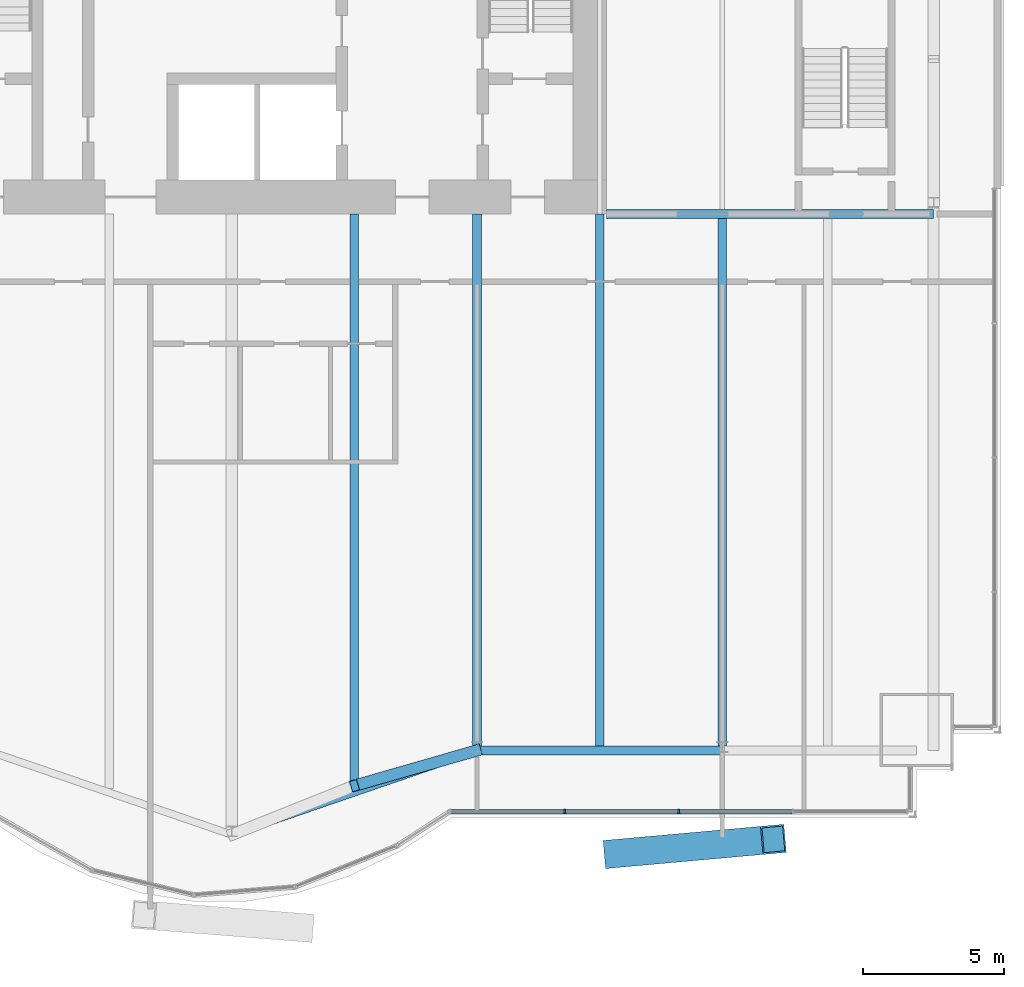
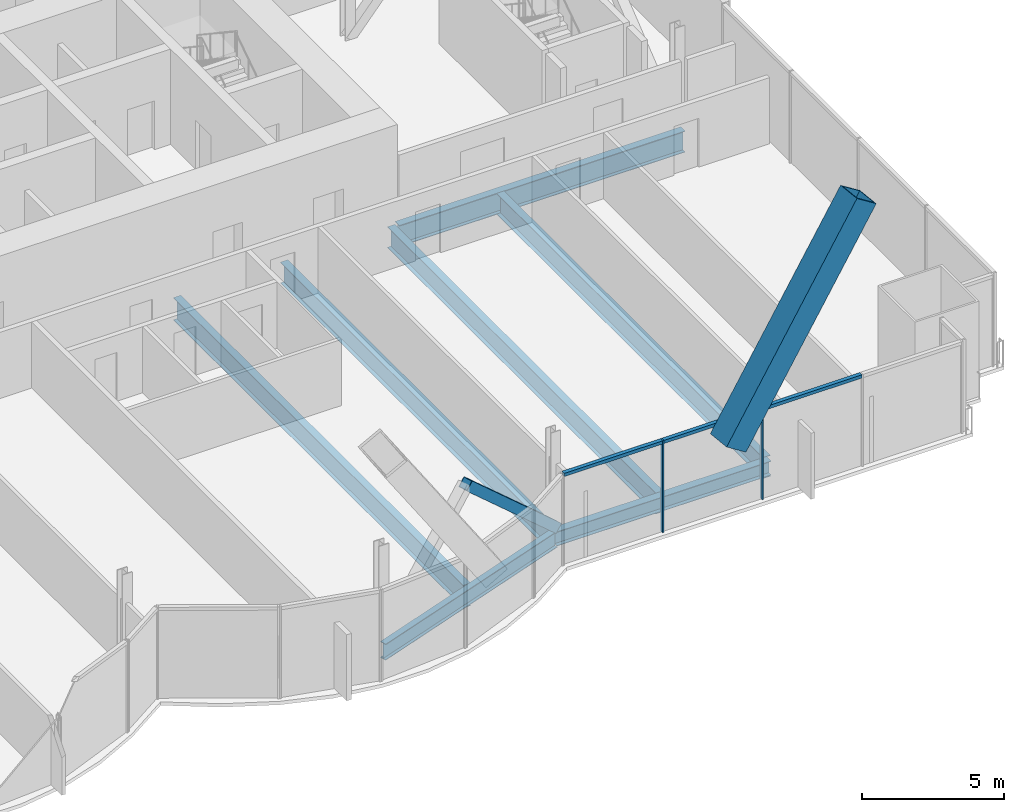
# One storey, part 9 of 22: 7 beams, 7 members, 1 element without a shape of its own.
"""IFC4 building model written with IfcOpenShell, lengths in metres."""

from ifc_helpers import new_model, si_unit, direction, frame, origin, origin_2d, place, context, subcontext, project, spatial, rectangle, hollow_rectangle, i_section, extrude, material, material_profile, profile_set, type_object, element, aggregate, save


model = new_model("IFC4")

# Units and contexts
model_context = context("Model", 3, precision=1e-05, world=origin(), true_north=direction((0.0, 1.0)))
body_context = subcontext(model_context, "Body", "Model", "MODEL_VIEW")
ifc_project = project(units=[si_unit("LENGTHUNIT", "METRE"), si_unit("AREAUNIT", "SQUARE_METRE"), si_unit("VOLUMEUNIT", "CUBIC_METRE"), si_unit("PLANEANGLEUNIT", "RADIAN"), si_unit("MASSUNIT", "GRAM", prefix="KILO")], contexts=[model_context])

# Site, building, storey
site_placement = place(None, origin())
site = spatial("IfcSite", under=ifc_project, at=site_placement, CompositionType="ELEMENT")
building_placement = place(site_placement, origin())
building = spatial("IfcBuilding", under=site, at=building_placement, Name="Bicima Exchange Tower", CompositionType="ELEMENT")
storey_placement = place(building_placement, frame((0.0, 0.0, 169.10009765625)))
storey = spatial("IfcBuildingStorey", under=building, at=storey_placement, Name="L37", CompositionType="ELEMENT", Elevation=169.10009765625)

# Beam
ifc_material_1 = material(Name="Steel ASTM A992 Gr 50", Category="steel")
ifc_material_profile_1 = material_profile(ifc_material_1, i_section(OverallWidth=0.3046875, OverallDepth=0.911865234375, WebThickness=0.015869140625, FlangeThickness=0.02392578125, at=origin_2d()))
ifc_profile_set_1 = profile_set([ifc_material_profile_1], Name="Steel ASTM A992 Gr 50")
beam_type_1 = type_object("IfcBeamType", Name="Core-line girder W36x150", PredefinedType="BEAM", material=ifc_profile_set_1)
beam_1_placement = place(storey_placement, frame((22.0, -13.0, -0.60595703125), z_axis=(1.0, 0.0, 0.0), x_axis=(0.0, 1.0, 0.0)))
element("IfcBeam", 1, at=beam_1_placement, inside=storey, type_object=beam_type_1, Name="Core-line girder", PredefinedType="BEAM", context=body_context, shape_type="SweptSolid", body=[
    extrude(i_section(OverallWidth=0.3046875, OverallDepth=0.911865234375, WebThickness=0.015869140625, FlangeThickness=0.02392578125, at=origin_2d()), origin(), (0.0, 0.0, 1.0), 11.60009765625),
])

# Member
ifc_material_2 = material(Name="Steel ASTM A572 Gr 50", Category="steel")
ifc_material_profile_2 = material_profile(ifc_material_2, hollow_rectangle(XDim=1.0, YDim=1.0, WallThickness=0.06005859375, at=origin_2d()))
ifc_profile_set_2 = profile_set([ifc_material_profile_2], Name="Steel ASTM A572 Gr 50")
member_type_1 = type_object("IfcMemberType", Name="Exo mega brace BOX 1000x1000x60", PredefinedType="BRACE", material=ifc_profile_set_2)
member_1_placement = place(storey_placement, frame((22.333251953125, -35.694091796875, 4.066650390625), z_axis=(0.552134579453, 0.049540015612, 0.832281919199), x_axis=(-0.089365532808, 0.995998896358, 0.0)))
element("IfcMember", 2, at=member_1_placement, inside=storey, type_object=member_type_1, Name="Exo mega brace front", PredefinedType="BRACE", context=body_context, shape_type="SweptSolid", body=[
    extrude(hollow_rectangle(XDim=1.0, YDim=1.0, WallThickness=0.06005859375, at=origin_2d()), origin(), (0.0, 0.0, 1.0), 10.112548828125),
])

# Beams
ifc_material_profile_3 = material_profile(ifc_material_1, i_section(OverallWidth=0.3046875, OverallDepth=0.904296875, WebThickness=0.01513671875, FlangeThickness=0.02001953125, at=origin_2d()))
ifc_profile_set_3 = profile_set([ifc_material_profile_3], Name="Steel ASTM A992 Gr 50")
beam_type_2 = type_object("IfcBeamType", Name="Floor beam W36x135", PredefinedType="JOIST", material=ifc_profile_set_3)
beam_2_placement = place(storey_placement, frame((17.39990234375, -13.0, -0.602294921875), z_axis=(0.0, -1.0, 0.0), x_axis=(1.0, 0.0, 0.0)))
element("IfcBeam", 3, at=beam_2_placement, inside=storey, type_object=beam_type_2, Name="Floor beam", PredefinedType="JOIST", context=body_context, shape_type="SweptSolid", body=[
    extrude(i_section(OverallWidth=0.3046875, OverallDepth=0.904296875, WebThickness=0.01513671875, FlangeThickness=0.02001953125, at=origin_2d()), origin(), (0.0, 0.0, 1.0), 18.900390625),
])
beam_3_placement = place(storey_placement, frame((21.75, -13.0, -0.602294921875), z_axis=(0.0, -1.0, 0.0), x_axis=(1.0, 0.0, 0.0)))
element("IfcBeam", 4, at=beam_3_placement, inside=storey, type_object=beam_type_2, Name="Floor beam", PredefinedType="JOIST", context=body_context, shape_type="SweptSolid", body=[
    extrude(i_section(OverallWidth=0.3046875, OverallDepth=0.904296875, WebThickness=0.01513671875, FlangeThickness=0.02001953125, at=origin_2d()), origin(), (0.0, 0.0, 1.0), 18.873291015625),
])
beam_4_placement = place(storey_placement, frame((26.10009765625, -13.15234375, -0.602294921875), z_axis=(0.0, -1.0, 0.0), x_axis=(1.0, 0.0, 0.0)))
element("IfcBeam", 5, at=beam_4_placement, inside=storey, type_object=beam_type_2, Name="Floor beam", PredefinedType="JOIST", context=body_context, shape_type="SweptSolid", body=[
    extrude(i_section(OverallWidth=0.3046875, OverallDepth=0.904296875, WebThickness=0.01513671875, FlangeThickness=0.02001953125, at=origin_2d()), origin(), (0.0, 0.0, 1.0), 18.720947265625),
])
ifc_material_profile_4 = material_profile(ifc_material_1, i_section(OverallWidth=0.2998046875, OverallDepth=0.97021484375, WebThickness=0.01611328125, FlangeThickness=0.02099609375, at=origin_2d()))
ifc_profile_set_4 = profile_set([ifc_material_profile_4], Name="Steel ASTM A992 Gr 50")
beam_type_3 = type_object("IfcBeamType", Name="Floor beam W40x149", PredefinedType="JOIST", material=ifc_profile_set_4)
beam_5_placement = place(storey_placement, frame((13.050048828125, -13.0, -0.63525390625), z_axis=(0.0, -1.0, 0.0), x_axis=(1.0, 0.0, 0.0)))
element("IfcBeam", 6, at=beam_5_placement, inside=storey, type_object=beam_type_3, Name="Floor beam", PredefinedType="JOIST", context=body_context, shape_type="SweptSolid", body=[
    extrude(i_section(OverallWidth=0.2998046875, OverallDepth=0.97021484375, WebThickness=0.01611328125, FlangeThickness=0.02099609375, at=origin_2d()), origin(), (0.0, 0.0, 1.0), 20.39599609375),
])
ifc_material_profile_5 = material_profile(ifc_material_1, i_section(OverallWidth=0.3251953125, OverallDepth=0.612060546875, WebThickness=0.0126953125, FlangeThickness=0.01904296875, at=origin_2d()))
ifc_profile_set_5 = profile_set([ifc_material_profile_5], Name="Steel ASTM A992 Gr 50")
beam_type_4 = type_object("IfcBeamType", Name="Front girder W24x104", PredefinedType="BEAM", material=ifc_profile_set_5)
beam_6_placement = place(storey_placement, frame((17.39990234375, -32.035888671875, -0.456298828125), z_axis=(1.0, 0.0, 0.0), x_axis=(0.0, 1.0, 0.0)))
element("IfcBeam", 7, at=beam_6_placement, inside=storey, type_object=beam_type_4, Name="Front girder", PredefinedType="BEAM", context=body_context, shape_type="SweptSolid", body=[
    extrude(i_section(OverallWidth=0.3251953125, OverallDepth=0.612060546875, WebThickness=0.0126953125, FlangeThickness=0.01904296875, at=origin_2d()), origin(), (0.0, 0.0, 1.0), 8.7001953125),
])
ifc_material_profile_6 = material_profile(ifc_material_1, i_section(OverallWidth=0.256591796875, OverallDepth=0.693359375, WebThickness=0.014404296875, FlangeThickness=0.023681640625, at=origin_2d()))
ifc_profile_set_6 = profile_set([ifc_material_profile_6], Name="Steel ASTM A992 Gr 50")
beam_type_5 = type_object("IfcBeamType", Name="Front girder W27x114", PredefinedType="BEAM", material=ifc_profile_set_6)
beam_7_placement = place(storey_placement, frame((8.699951171875, -35.027099609375, -0.496826171875), z_axis=(0.945666456746, 0.325138359143, 0.0), x_axis=(-0.325138359143, 0.945666456746, 0.0)))
element("IfcBeam", 8, at=beam_7_placement, inside=storey, type_object=beam_type_5, Name="Front girder", PredefinedType="BEAM", context=body_context, shape_type="SweptSolid", body=[
    extrude(i_section(OverallWidth=0.256591796875, OverallDepth=0.693359375, WebThickness=0.014404296875, FlangeThickness=0.023681640625, at=origin_2d()), origin(), (0.0, 0.0, 1.0), 9.19970703125),
])

# Curtain wall, members
ifc_material_3 = material(Name="Anodised bronze aluminium", Category="aluminium")
curtain_wall_type = type_object("IfcCurtainWallType", Name="Front glass wall", PredefinedType="NOTDEFINED", material=ifc_material_3)
curtain_wall_placement = place(storey_placement, origin())
curtain_wall = element("IfcCurtainWall", 9, at=curtain_wall_placement, inside=storey, type_object=curtain_wall_type, Name="Front glass wall L37 run 16", PredefinedType="NOTDEFINED")
ifc_material_profile_7 = material_profile(ifc_material_3, rectangle(XDim=0.159912109375, YDim=0.06005859375, at=origin_2d()))
ifc_profile_set_7 = profile_set([ifc_material_profile_7], Name="Anodised bronze aluminium")
member_type_2 = type_object("IfcMemberType", Name="Front glass wall mullion 60 x 160", PredefinedType="MULLION", material=ifc_profile_set_7)
member_2_placement = place(storey_placement, frame((20.51171875, -34.2060546875, 0.0), z_axis=(0.0, 0.0, 1.0), x_axis=(0.0, 1.0, 0.0)))
member_2 = element("IfcMember", 10, at=member_2_placement, type_object=member_type_2, Name="Front glass wall mullion 2", PredefinedType="MULLION", context=body_context, shape_type="SweptSolid", body=[
    extrude(rectangle(XDim=0.159912109375, YDim=0.06005859375, at=origin_2d()), origin(), (0.0, 0.0, 1.0), 3.949951171875),
])
member_3_placement = place(storey_placement, frame((24.56103515625, -34.2060546875, 0.0), z_axis=(0.0, 0.0, 1.0), x_axis=(0.0, 1.0, 0.0)))
member_3 = element("IfcMember", 11, at=member_3_placement, type_object=member_type_2, Name="Front glass wall mullion 3", PredefinedType="MULLION", context=body_context, shape_type="SweptSolid", body=[
    extrude(rectangle(XDim=0.159912109375, YDim=0.06005859375, at=origin_2d()), origin(), (0.0, 0.0, 1.0), 3.949951171875),
])
ifc_material_profile_8 = material_profile(ifc_material_3, rectangle(XDim=0.159912109375, YDim=0.139892578125, at=origin_2d()))
ifc_profile_set_8 = profile_set([ifc_material_profile_8], Name="Anodised bronze aluminium")
member_type_3 = type_object("IfcMemberType", Name="Front glass wall transom 140 x 160", PredefinedType="USERDEFINED", material=ifc_profile_set_8)
member_4_placement = place(storey_placement, frame((16.4921875, -34.2060546875, 3.8798828125), z_axis=(1.0, 0.0, 0.0), x_axis=(0.0, 1.0, 0.0)))
member_4 = element("IfcMember", 12, at=member_4_placement, type_object=member_type_3, Name="Front glass wall transom 1.1", ObjectType="TRANSOM", PredefinedType="USERDEFINED", context=body_context, shape_type="SweptSolid", body=[
    extrude(rectangle(XDim=0.159912109375, YDim=0.139892578125, at=origin_2d()), origin(), (0.0, 0.0, 1.0), 3.989501953125),
])
member_5_placement = place(storey_placement, frame((20.54150390625, -34.2060546875, 3.8798828125), z_axis=(1.0, 0.0, 0.0), x_axis=(0.0, 1.0, 0.0)))
member_5 = element("IfcMember", 13, at=member_5_placement, type_object=member_type_3, Name="Front glass wall transom 2.1", ObjectType="TRANSOM", PredefinedType="USERDEFINED", context=body_context, shape_type="SweptSolid", body=[
    extrude(rectangle(XDim=0.159912109375, YDim=0.139892578125, at=origin_2d()), origin(), (0.0, 0.0, 1.0), 3.989501953125),
])
member_6_placement = place(storey_placement, frame((24.591064453125, -34.2060546875, 3.8798828125), z_axis=(1.0, 0.0, 0.0), x_axis=(0.0, 1.0, 0.0)))
member_6 = element("IfcMember", 14, at=member_6_placement, type_object=member_type_3, Name="Front glass wall transom 3.1", ObjectType="TRANSOM", PredefinedType="USERDEFINED", context=body_context, shape_type="SweptSolid", body=[
    extrude(rectangle(XDim=0.159912109375, YDim=0.139892578125, at=origin_2d()), origin(), (0.0, 0.0, 1.0), 3.989501953125),
])
aggregate(curtain_wall, [member_2, member_3, member_4, member_5, member_6])

# Member
ifc_material_profile_9 = material_profile(ifc_material_2, hollow_rectangle(XDim=0.406494140625, YDim=0.406494140625, WallThickness=0.017822265625, at=origin_2d()))
ifc_profile_set_9 = profile_set([ifc_material_profile_9], Name="Steel ASTM A572 Gr 50")
member_type_4 = type_object("IfcMemberType", Name="Mega brace HSS16x16x3/4", PredefinedType="BRACE", material=ifc_profile_set_9)
member_7_placement = place(storey_placement, frame((17.39990234375, -32.035888671875, 0.0), z_axis=(-0.712260478479, -0.204959278956, 0.671324589723), x_axis=(0.276537209588, -0.961003211084, 0.0)))
element("IfcMember", 15, at=member_7_placement, inside=storey, type_object=member_type_4, Name="Mega brace front", PredefinedType="BRACE", context=body_context, shape_type="SweptSolid", body=[
    extrude(hollow_rectangle(XDim=0.406494140625, YDim=0.406494140625, WallThickness=0.017822265625, at=origin_2d()), origin(), (0.0, 0.0, 1.0), 6.107177734375),
])

save(model, "model.ifc")
